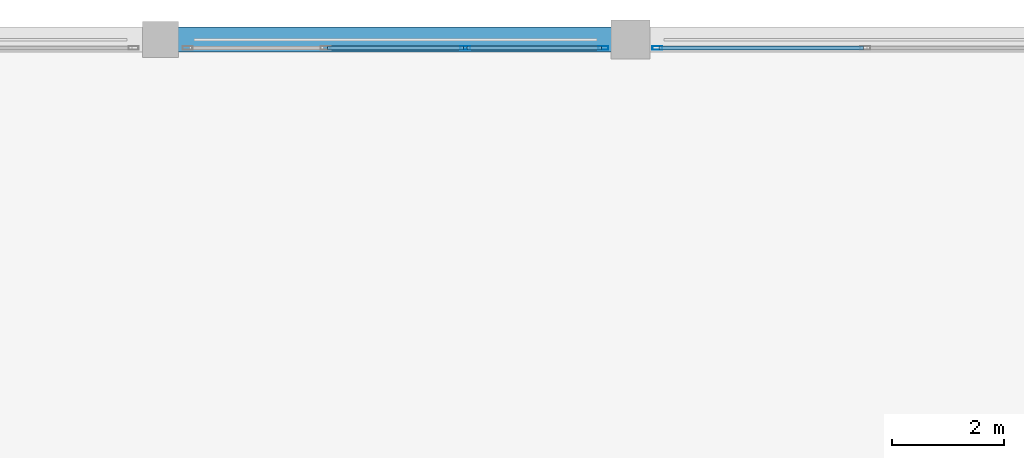
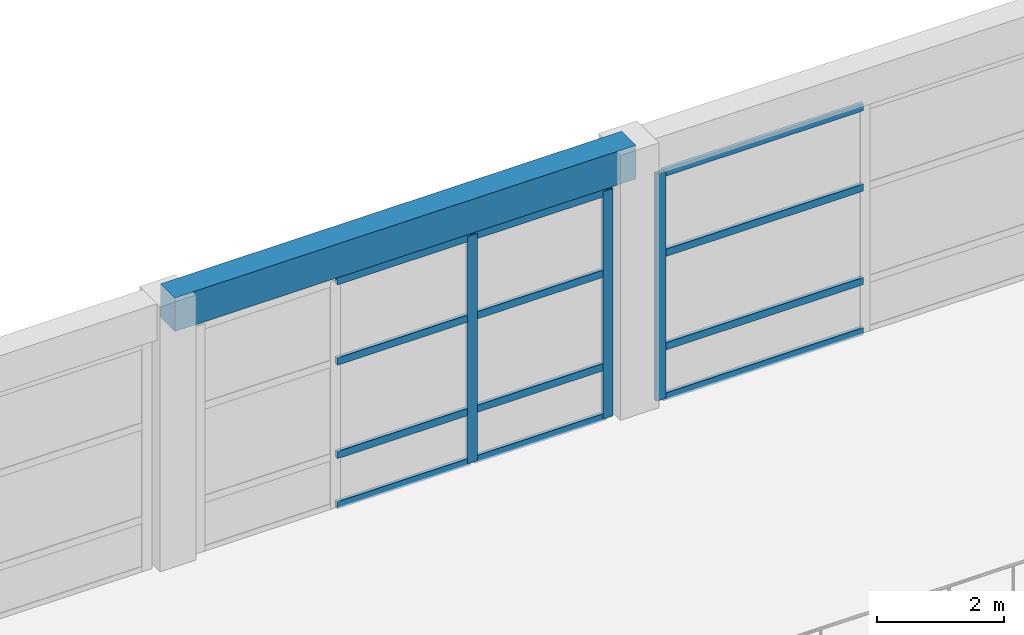
# One storey, part 45 of 96: 15 members, 1 beam, 2 elements without a shape of their own.
"""IFC4 building model written with IfcOpenShell, lengths in metres."""

from ifc_helpers import new_model, si_unit, direction, frame, origin, origin_2d, place, context, subcontext, project, spatial, rectangle, hollow_rectangle, extrude, material, material_profile, profile_set, type_object, element, aggregate, save


model = new_model("IFC4")

# Units and contexts
model_context = context("Model", 3, precision=1e-05, world=origin(), true_north=direction((0.0, 1.0)))
body_context = subcontext(model_context, "Body", "Model", "MODEL_VIEW")
ifc_project = project(units=[si_unit("LENGTHUNIT", "METRE"), si_unit("AREAUNIT", "SQUARE_METRE"), si_unit("VOLUMEUNIT", "CUBIC_METRE"), si_unit("PLANEANGLEUNIT", "RADIAN"), si_unit("MASSUNIT", "GRAM", prefix="KILO")], contexts=[model_context])

# Site, building, storey
site_placement = place(None, origin())
site = spatial("IfcSite", under=ifc_project, at=site_placement, CompositionType="ELEMENT")
building_placement = place(site_placement, origin())
building = spatial("IfcBuilding", under=site, at=building_placement, Name="Almacenes y Pasaje Nevantli", CompositionType="ELEMENT")
storey_placement = place(building_placement, frame((0.0, 0.0, 6.0)))
storey = spatial("IfcBuildingStorey", under=building, at=storey_placement, Name="L02", CompositionType="ELEMENT", Elevation=6.0)

# Beam
ifc_material_1 = material(Name="Concrete C35/45", Category="concrete")
ifc_material_profile_1 = material_profile(ifc_material_1, rectangle(XDim=0.449951171875, YDim=0.64990234375, at=origin_2d()), Name="RC-BM-450x650")
ifc_profile_set_1 = profile_set([ifc_material_profile_1], Name="Concrete C35/45")
beam_type = type_object("IfcBeamType", Name="BM-RC-450x650", PredefinedType="SPANDREL", material=ifc_profile_set_1)
beam_placement = place(storey_placement, frame((75.60009765625, 117.60009765625, 4.77490234375), z_axis=(1.0, 0.0, 0.0), x_axis=(0.0, 1.0, 0.0)))
element("IfcBeam", 1, at=beam_placement, inside=storey, type_object=beam_type, Name="L02 East-West Reinforced Concrete Beam #1955", PredefinedType="SPANDREL", context=body_context, shape_type="SweptSolid", body=[
    extrude(rectangle(XDim=0.449951171875, YDim=0.64990234375, at=origin_2d()), origin(), (0.0, 0.0, 1.0), 8.39990234375),
])

# Curtain wall, members
ifc_material_2 = material(Name="Thermally Broken Aluminium and Low-E Glass", Category="aluminium")
curtain_wall_type = type_object("IfcCurtainWallType", Name="CW-STF-ARCADE", PredefinedType="USERDEFINED", material=ifc_material_2)
curtain_wall_1_placement = place(storey_placement, origin())
curtain_wall_1 = element("IfcCurtainWall", 2, at=curtain_wall_1_placement, inside=storey, type_object=curtain_wall_type, Name="L02 North Arcade Monumental Portal Curtain Wall Bay 10", ObjectType="STOREFRONT GLAZING", PredefinedType="USERDEFINED")
ifc_material_3 = material(Name="Thermally Broken Anodized Aluminium", Category="aluminium")
ifc_material_profile_2 = material_profile(ifc_material_3, hollow_rectangle(XDim=0.06494140625, YDim=0.179931640625, WallThickness=0.00390625, at=origin_2d()), Name="ALU-MUL-65x180")
ifc_profile_set_2 = profile_set([ifc_material_profile_2], Name="Thermally Broken Anodized Aluminium")
member_type_1 = type_object("IfcMemberType", Name="CW-MUL-200", PredefinedType="MULLION", material=ifc_profile_set_2)
member_1_placement = place(storey_placement, frame((81.050048828125, 117.449951171875, 0.0), z_axis=(0.0, 0.0, 1.0), x_axis=(0.0, 1.0, 0.0)))
member_1 = element("IfcMember", 3, at=member_1_placement, type_object=member_type_1, Name="CW-L02-006 mullion 3", PredefinedType="MULLION", context=body_context, shape_type="SweptSolid", body=[
    extrude(hollow_rectangle(XDim=0.06494140625, YDim=0.179931640625, WallThickness=0.00390625, at=origin_2d()), origin(), (0.0, 0.0, 1.0), 4.3798828125),
])
member_2_placement = place(storey_placement, frame((83.517578125, 117.449951171875, 0.0), z_axis=(0.0, 0.0, 1.0), x_axis=(0.0, 1.0, 0.0)))
member_2 = element("IfcMember", 4, at=member_2_placement, type_object=member_type_1, Name="CW-L02-006 mullion 4", PredefinedType="MULLION", context=body_context, shape_type="SweptSolid", body=[
    extrude(hollow_rectangle(XDim=0.06494140625, YDim=0.179931640625, WallThickness=0.00390625, at=origin_2d()), origin(), (0.0, 0.0, 1.0), 4.3798828125),
])

# Curtain wall, member
curtain_wall_2_placement = place(storey_placement, origin())
curtain_wall_2 = element("IfcCurtainWall", 5, at=curtain_wall_2_placement, inside=storey, type_object=curtain_wall_type, Name="L02 North Arcade Monumental Portal Curtain Wall Bay 11", ObjectType="STOREFRONT GLAZING", PredefinedType="USERDEFINED")
member_3_placement = place(storey_placement, frame((84.482421875, 117.449951171875, 0.0), z_axis=(0.0, 0.0, 1.0), x_axis=(0.0, 1.0, 0.0)))
member_3 = element("IfcMember", 6, at=member_3_placement, type_object=member_type_1, Name="CW-L02-007 mullion 1", PredefinedType="MULLION", context=body_context, shape_type="SweptSolid", body=[
    extrude(hollow_rectangle(XDim=0.06494140625, YDim=0.179931640625, WallThickness=0.00390625, at=origin_2d()), origin(), (0.0, 0.0, 1.0), 4.3798828125),
])

# Member
ifc_material_4 = material(Name="Thermally Broken Anodized Aluminium", Category="aluminium")
ifc_material_profile_3 = material_profile(ifc_material_4, hollow_rectangle(XDim=0.06494140625, YDim=0.139892578125, WallThickness=0.00390625, at=origin_2d()), Name="ALU-TRN-65x140")
ifc_profile_set_3 = profile_set([ifc_material_profile_3], Name="Thermally Broken Anodized Aluminium")
member_type_2 = type_object("IfcMemberType", Name="CW-TRN-150", PredefinedType="USERDEFINED", material=ifc_profile_set_3)
member_4_placement = place(storey_placement, frame((78.58251953125, 117.449951171875, 0.032470703125), z_axis=(1.0, 0.0, 0.0), x_axis=(0.0, 1.0, 0.0)))
member_4 = element("IfcMember", 7, at=member_4_placement, type_object=member_type_2, Name="CW-L02-006 transom 2.1", ObjectType="TRANSOM", PredefinedType="USERDEFINED", context=body_context, shape_type="SweptSolid", body=[
    extrude(hollow_rectangle(XDim=0.06494140625, YDim=0.139892578125, WallThickness=0.00390625, at=origin_2d()), origin(), (0.0, 0.0, 1.0), 2.43505859375),
])

member_5_placement = place(storey_placement, frame((78.58251953125, 117.449951171875, 1.0), z_axis=(1.0, 0.0, 0.0), x_axis=(0.0, 1.0, 0.0)))
member_5 = element("IfcMember", 8, at=member_5_placement, type_object=member_type_2, Name="CW-L02-006 transom 2.2", ObjectType="TRANSOM", PredefinedType="USERDEFINED", context=body_context, shape_type="SweptSolid", body=[
    extrude(hollow_rectangle(XDim=0.06494140625, YDim=0.139892578125, WallThickness=0.00390625, at=origin_2d()), origin(), (0.0, 0.0, 1.0), 2.43505859375),
])

member_6_placement = place(storey_placement, frame((78.58251953125, 117.449951171875, 2.800048828125), z_axis=(1.0, 0.0, 0.0), x_axis=(0.0, 1.0, 0.0)))
member_6 = element("IfcMember", 9, at=member_6_placement, type_object=member_type_2, Name="CW-L02-006 transom 2.3", ObjectType="TRANSOM", PredefinedType="USERDEFINED", context=body_context, shape_type="SweptSolid", body=[
    extrude(hollow_rectangle(XDim=0.06494140625, YDim=0.139892578125, WallThickness=0.00390625, at=origin_2d()), origin(), (0.0, 0.0, 1.0), 2.43505859375),
])

member_7_placement = place(storey_placement, frame((78.58251953125, 117.449951171875, 4.347412109375), z_axis=(1.0, 0.0, 0.0), x_axis=(0.0, 1.0, 0.0)))
member_7 = element("IfcMember", 10, at=member_7_placement, type_object=member_type_2, Name="CW-L02-006 transom 2.4", ObjectType="TRANSOM", PredefinedType="USERDEFINED", context=body_context, shape_type="SweptSolid", body=[
    extrude(hollow_rectangle(XDim=0.06494140625, YDim=0.139892578125, WallThickness=0.00390625, at=origin_2d()), origin(), (0.0, 0.0, 1.0), 2.43505859375),
])

member_8_placement = place(storey_placement, frame((81.08251953125, 117.449951171875, 0.032470703125), z_axis=(1.0, 0.0, 0.0), x_axis=(0.0, 1.0, 0.0)))
member_8 = element("IfcMember", 11, at=member_8_placement, type_object=member_type_2, Name="CW-L02-006 transom 3.1", ObjectType="TRANSOM", PredefinedType="USERDEFINED", context=body_context, shape_type="SweptSolid", body=[
    extrude(hollow_rectangle(XDim=0.06494140625, YDim=0.139892578125, WallThickness=0.00390625, at=origin_2d()), origin(), (0.0, 0.0, 1.0), 2.402587890625),
])

member_9_placement = place(storey_placement, frame((81.08251953125, 117.449951171875, 1.0), z_axis=(1.0, 0.0, 0.0), x_axis=(0.0, 1.0, 0.0)))
member_9 = element("IfcMember", 12, at=member_9_placement, type_object=member_type_2, Name="CW-L02-006 transom 3.2", ObjectType="TRANSOM", PredefinedType="USERDEFINED", context=body_context, shape_type="SweptSolid", body=[
    extrude(hollow_rectangle(XDim=0.06494140625, YDim=0.139892578125, WallThickness=0.00390625, at=origin_2d()), origin(), (0.0, 0.0, 1.0), 2.402587890625),
])

member_10_placement = place(storey_placement, frame((81.08251953125, 117.449951171875, 2.800048828125), z_axis=(1.0, 0.0, 0.0), x_axis=(0.0, 1.0, 0.0)))
member_10 = element("IfcMember", 13, at=member_10_placement, type_object=member_type_2, Name="CW-L02-006 transom 3.3", ObjectType="TRANSOM", PredefinedType="USERDEFINED", context=body_context, shape_type="SweptSolid", body=[
    extrude(hollow_rectangle(XDim=0.06494140625, YDim=0.139892578125, WallThickness=0.00390625, at=origin_2d()), origin(), (0.0, 0.0, 1.0), 2.402587890625),
])

member_11_placement = place(storey_placement, frame((81.08251953125, 117.449951171875, 4.347412109375), z_axis=(1.0, 0.0, 0.0), x_axis=(0.0, 1.0, 0.0)))
member_11 = element("IfcMember", 14, at=member_11_placement, type_object=member_type_2, Name="CW-L02-006 transom 3.4", ObjectType="TRANSOM", PredefinedType="USERDEFINED", context=body_context, shape_type="SweptSolid", body=[
    extrude(hollow_rectangle(XDim=0.06494140625, YDim=0.139892578125, WallThickness=0.00390625, at=origin_2d()), origin(), (0.0, 0.0, 1.0), 2.402587890625),
])

aggregate(curtain_wall_1, [member_1, member_2, member_4, member_5, member_6, member_7, member_8, member_9, member_10, member_11])

member_12_placement = place(storey_placement, frame((84.514892578125, 117.449951171875, 0.032470703125), z_axis=(1.0, 0.0, 0.0), x_axis=(0.0, 1.0, 0.0)))
member_12 = element("IfcMember", 15, at=member_12_placement, type_object=member_type_2, Name="CW-L02-007 transom 1.1", ObjectType="TRANSOM", PredefinedType="USERDEFINED", context=body_context, shape_type="SweptSolid", body=[
    extrude(hollow_rectangle(XDim=0.06494140625, YDim=0.139892578125, WallThickness=0.00390625, at=origin_2d()), origin(), (0.0, 0.0, 1.0), 3.652587890625),
])

member_13_placement = place(storey_placement, frame((84.514892578125, 117.449951171875, 1.0), z_axis=(1.0, 0.0, 0.0), x_axis=(0.0, 1.0, 0.0)))
member_13 = element("IfcMember", 16, at=member_13_placement, type_object=member_type_2, Name="CW-L02-007 transom 1.2", ObjectType="TRANSOM", PredefinedType="USERDEFINED", context=body_context, shape_type="SweptSolid", body=[
    extrude(hollow_rectangle(XDim=0.06494140625, YDim=0.139892578125, WallThickness=0.00390625, at=origin_2d()), origin(), (0.0, 0.0, 1.0), 3.652587890625),
])

member_14_placement = place(storey_placement, frame((84.514892578125, 117.449951171875, 2.800048828125), z_axis=(1.0, 0.0, 0.0), x_axis=(0.0, 1.0, 0.0)))
member_14 = element("IfcMember", 17, at=member_14_placement, type_object=member_type_2, Name="CW-L02-007 transom 1.3", ObjectType="TRANSOM", PredefinedType="USERDEFINED", context=body_context, shape_type="SweptSolid", body=[
    extrude(hollow_rectangle(XDim=0.06494140625, YDim=0.139892578125, WallThickness=0.00390625, at=origin_2d()), origin(), (0.0, 0.0, 1.0), 3.652587890625),
])

member_15_placement = place(storey_placement, frame((84.514892578125, 117.449951171875, 4.347412109375), z_axis=(1.0, 0.0, 0.0), x_axis=(0.0, 1.0, 0.0)))
member_15 = element("IfcMember", 18, at=member_15_placement, type_object=member_type_2, Name="CW-L02-007 transom 1.4", ObjectType="TRANSOM", PredefinedType="USERDEFINED", context=body_context, shape_type="SweptSolid", body=[
    extrude(hollow_rectangle(XDim=0.06494140625, YDim=0.139892578125, WallThickness=0.00390625, at=origin_2d()), origin(), (0.0, 0.0, 1.0), 3.652587890625),
])

aggregate(curtain_wall_2, [member_3, member_12, member_13, member_14, member_15])

save(model, "model.ifc")
